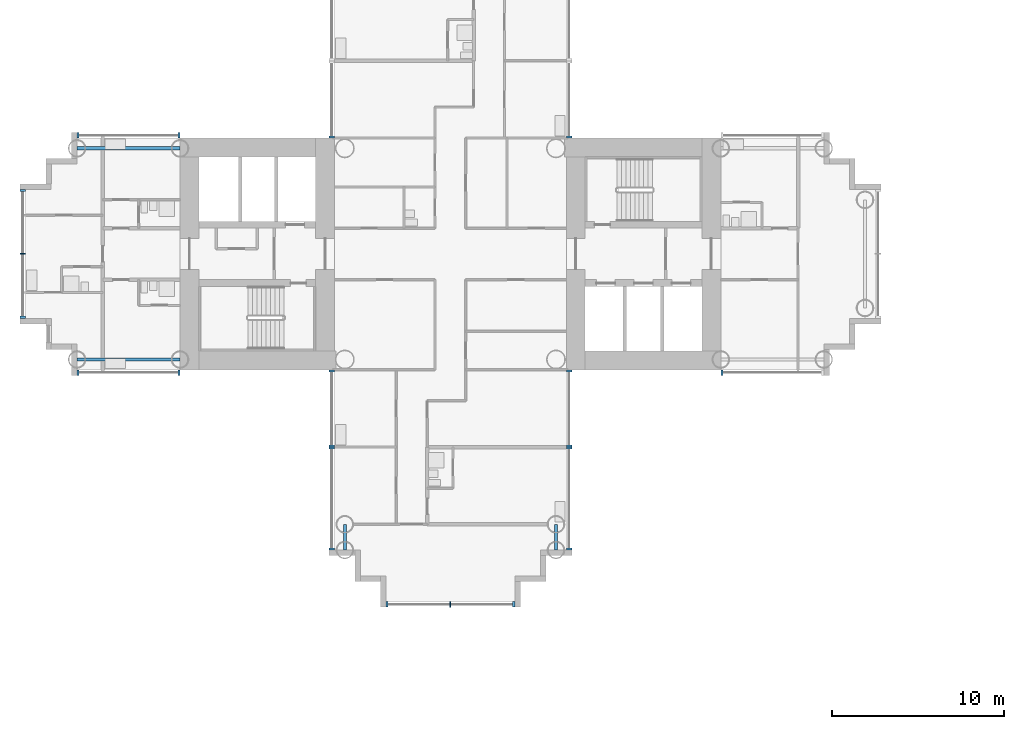
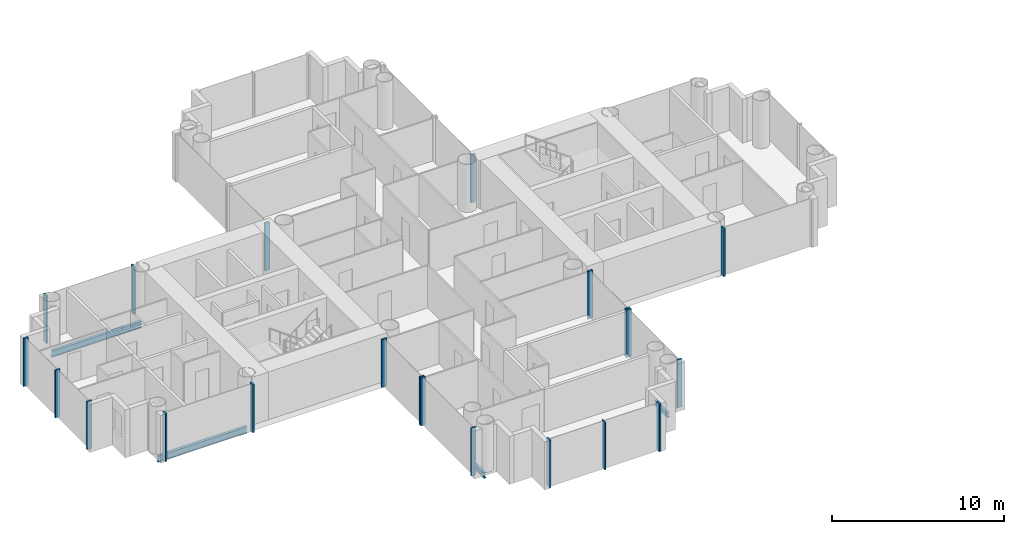
# One storey, part 3 of 22: 21 members, 4 beams, 11 elements without a shape of their own.
"""IFC4 building model written with IfcOpenShell, lengths in metres."""

import ifcopenshell
import ifcopenshell.guid

model = None  # the IFC model being written
_history = None  # IfcOwnerHistory: only IFC2X3 demands one
_inside = {}  # id of a spatial element -> (the spatial element, [elements in it])
_under = {}  # id of a project, library or spatial element -> (it, [spatial elements below it])
_declared = {}  # id of a project -> (the project, [libraries it declares])
_typed = {}  # id of a type object -> (the type object, [elements of that type])
_made_of = {}  # id of a material, layer set ... -> (it, [elements and type objects made of it])


def new_model(schema):
    """Start an empty IFC model of exactly this schema.

    Asked for "IFC4X3", IfcOpenShell would pick the latest addendum, in which some entities
    have other attributes; the version numbers below select the first issue.
    IFC2X3 requires an IfcOwnerHistory on every rooted entity: one is made here for all.
    """
    global model, _history
    if schema == "IFC4X3":
        model = ifcopenshell.file(schema_version=(4, 3, 0, 0))
    else:
        model = ifcopenshell.file(schema=schema)
    _inside.clear()
    _under.clear()
    _declared.clear()
    _typed.clear()
    _made_of.clear()
    _history = None
    if model.schema == "IFC2X3":
        org = make("IfcOrganization", Name="unknown")
        user = make(
            "IfcPersonAndOrganization",
            ThePerson=make("IfcPerson", FamilyName="unknown"),
            TheOrganization=org,
        )
        app = make(
            "IfcApplication",
            ApplicationDeveloper=org,
            Version="unknown",
            ApplicationFullName="unknown",
            ApplicationIdentifier="unknown",
        )
        _history = make(
            "IfcOwnerHistory",
            OwningUser=user,
            OwningApplication=app,
            ChangeAction="ADDED",
            CreationDate=0,
        )
    return model


def make(cls, **values):
    """One entity of the class cls with the attributes given. An attribute that is None is left unset."""
    return model.create_entity(
        cls, **{name: value for name, value in values.items() if value is not None}
    )


def rooted(cls, **values):
    """An entity with a GlobalId (a new one), such as an element, a storey or a relation."""
    return make(cls, GlobalId=ifcopenshell.guid.new(), OwnerHistory=_history, **values)


def si_unit(unit_type, name, prefix=None):
    """IfcSIUnit, for example si_unit("LENGTHUNIT", "METRE", prefix="MILLI")."""
    return make("IfcSIUnit", UnitType=unit_type, Prefix=prefix, Name=name)


def assignment(units):
    """IfcUnitAssignment: the units of a project."""
    return None if units is None else make("IfcUnitAssignment", Units=units)


def point(xyz):
    """IfcCartesianPoint."""
    return None if xyz is None else make("IfcCartesianPoint", Coordinates=xyz)


def direction(xyz):
    """IfcDirection."""
    return None if xyz is None else make("IfcDirection", DirectionRatios=xyz)


def frame(location, z_axis=None, x_axis=None):
    """IfcAxis2Placement3D, a coordinate frame: its origin and axes. An axis left out is left unset."""
    return make(
        "IfcAxis2Placement3D",
        Location=point(location),
        Axis=direction(z_axis),
        RefDirection=direction(x_axis),
    )


def frame_2d(location, x_axis=None):
    """IfcAxis2Placement2D, a coordinate frame in the plane: its origin and x axis."""
    return make(
        "IfcAxis2Placement2D", Location=point(location), RefDirection=direction(x_axis)
    )


def origin():
    """The frame at (0, 0, 0) with its axes left unset."""
    return frame((0.0, 0.0, 0.0))


def origin_2d():
    """The frame at (0, 0) in the plane with its x axis left unset."""
    return frame_2d((0.0, 0.0))


def place(relative_to, where):
    """IfcLocalPlacement: puts the frame where relative to a parent placement (None: the world)."""
    return make(
        "IfcLocalPlacement", PlacementRelTo=relative_to, RelativePlacement=where
    )


def context(
    kind, dimensions, precision=None, world=None, true_north=None, identifier=None
):
    """IfcGeometricRepresentationContext, for example the 3D "Model" context."""
    return make(
        "IfcGeometricRepresentationContext",
        ContextIdentifier=identifier,
        ContextType=kind,
        CoordinateSpaceDimension=dimensions,
        Precision=precision,
        WorldCoordinateSystem=world,
        TrueNorth=true_north,
    )


def subcontext(parent, identifier, kind, view, scale=None):
    """IfcGeometricRepresentationSubContext, for example "Body" below "Model"."""
    return make(
        "IfcGeometricRepresentationSubContext",
        ContextIdentifier=identifier,
        ContextType=kind,
        ParentContext=parent,
        TargetScale=scale,
        TargetView=view,
    )


def project(units=None, contexts=None):
    """IfcProject with its units and contexts."""
    return rooted(
        "IfcProject",
        Name="project",
        RepresentationContexts=contexts,
        UnitsInContext=assignment(units),
    )


def spatial(cls, under=None, at=None, **own):
    """A site, building, storey or space (cls), placed at a placement, below another one or the project."""
    s = rooted(cls, ObjectPlacement=at, **own)
    if under is not None:
        _under.setdefault(under.id(), (under, []))[1].append(s)
    return s


def profile(cls, at=None, kind="AREA", **sizes):
    """A parametric profile (cls). Its sizes go by their IFC names, for example OverallWidth=200.0."""
    return make(cls, ProfileType=kind, Position=at, **sizes)


def rectangle(**sizes):
    """IfcRectangleProfileDef."""
    return profile("IfcRectangleProfileDef", **sizes)


def i_section(**sizes):
    """IfcIShapeProfileDef."""
    return profile("IfcIShapeProfileDef", **sizes)


def extrude(swept, where, along, depth):
    """IfcExtrudedAreaSolid: the profile swept, set in the frame where, extruded along a direction by depth."""
    return make(
        "IfcExtrudedAreaSolid",
        SweptArea=swept,
        Position=where,
        ExtrudedDirection=direction(along),
        Depth=depth,
    )


def shape(context_of_items, identifier, shape_type, items):
    """IfcShapeRepresentation: the items that make up one representation, for example the "Body"."""
    return make(
        "IfcShapeRepresentation",
        ContextOfItems=context_of_items,
        RepresentationIdentifier=identifier,
        RepresentationType=shape_type,
        Items=items,
    )


def material(Name=None, Category=None):
    """IfcMaterial."""
    return make("IfcMaterial", Name=Name, Category=Category)


def layer(
    of_material, thickness, ventilated=None, Name=None, Category=None, Priority=None
):
    """IfcMaterialLayer: one layer of a wall or slab, of a material (None: an air gap)."""
    return make(
        "IfcMaterialLayer",
        Material=of_material,
        LayerThickness=thickness,
        IsVentilated=ventilated,
        Name=Name,
        Category=Category,
        Priority=Priority,
    )


def layer_set(layers, Name=None):
    """IfcMaterialLayerSet."""
    return make("IfcMaterialLayerSet", MaterialLayers=layers, LayerSetName=Name)


def material_profile(
    of_material, cross_section, Name=None, Category=None, Priority=None
):
    """IfcMaterialProfile: a cross section and its material."""
    return make(
        "IfcMaterialProfile",
        Name=Name,
        Material=of_material,
        Profile=cross_section,
        Priority=Priority,
        Category=Category,
    )


def profile_set(profiles, Name=None, composite=None):
    """IfcMaterialProfileSet."""
    return make(
        "IfcMaterialProfileSet",
        Name=Name,
        MaterialProfiles=profiles,
        CompositeProfile=composite,
    )


def made_of(thing, what):
    """Note that an element or type object is made of a material, layer set ...; save() writes the relation."""
    if what is not None:
        _made_of.setdefault(what.id(), (what, []))[1].append(thing)
    return thing


def type_object(cls, material=None, **own):
    """A type object (cls), such as IfcWallType, which elements share."""
    return made_of(rooted(cls, **own), material)


def element(
    cls,
    number,
    at=None,
    inside=None,
    cuts=None,
    type_object=None,
    material=None,
    context=None,
    identifier="Body",
    shape_type=None,
    held_by="IfcProductDefinitionShape",
    body=None,
    shapes=None,
    **own,
):
    """One element of the class cls, such as IfcWall. Its Tag is "e" and its number.

    at: its placement. inside: the storey or other place that contains it. cuts: it is an
    opening in that element (IfcRelVoidsElement). A single representation is given by context,
    identifier, shape_type and body (its items); several are given by shapes. held_by: the class
    of the entity that holds the representations. save() writes the other relations.
    """
    e = rooted(cls, Tag="e%d" % number, ObjectPlacement=at, **own)
    if body is not None:
        shapes = [shape(context, identifier, shape_type, body)]
    if shapes is not None:
        e.Representation = make(held_by, Representations=shapes)
    if inside is not None:
        _inside.setdefault(inside.id(), (inside, []))[1].append(e)
    if cuts is not None:
        rooted(
            "IfcRelVoidsElement", RelatingBuildingElement=cuts, RelatedOpeningElement=e
        )
    if type_object is not None:
        _typed.setdefault(type_object.id(), (type_object, []))[1].append(e)
    return made_of(e, material)


def aggregate(whole, parts):
    """IfcRelAggregates: a whole, such as a stair, and the parts it consists of."""
    return rooted("IfcRelAggregates", RelatingObject=whole, RelatedObjects=parts)


def save(model, path):
    """Write the relations noted so far, then the file.

    IfcRelAggregates (storeys below a building ...), IfcRelContainedInSpatialStructure (elements
    in a storey), IfcRelDefinesByType, IfcRelAssociatesMaterial and IfcRelDeclares: one each for
    every whole, place, type object, material and project.
    """
    for whole, parts in _under.values():
        aggregate(whole, parts)
    for where, things in _inside.values():
        rooted(
            "IfcRelContainedInSpatialStructure",
            RelatedElements=things,
            RelatingStructure=where,
        )
    for kind, things in _typed.values():
        rooted("IfcRelDefinesByType", RelatedObjects=things, RelatingType=kind)
    for what, things in _made_of.values():
        rooted("IfcRelAssociatesMaterial", RelatedObjects=things, RelatingMaterial=what)
    for by, libraries in _declared.values():
        rooted("IfcRelDeclares", RelatingContext=by, RelatedDefinitions=libraries)
    model.write(path)


model = new_model("IFC4")

# Units and contexts
model_context = context("Model", 3, precision=1e-05, world=origin(), true_north=direction((0.0, 1.0)))
body_context = subcontext(model_context, "Body", "Model", "MODEL_VIEW")
ifc_project = project(units=[si_unit("LENGTHUNIT", "METRE"), si_unit("AREAUNIT", "SQUARE_METRE"), si_unit("VOLUMEUNIT", "CUBIC_METRE"), si_unit("PLANEANGLEUNIT", "RADIAN"), si_unit("MASSUNIT", "GRAM", prefix="KILO")], contexts=[model_context])

# Site, building, storey
site_placement = place(None, origin())
site = spatial("IfcSite", under=ifc_project, at=site_placement, CompositionType="ELEMENT")
building_placement = place(site_placement, origin())
building = spatial("IfcBuilding", under=site, at=building_placement, Name="Ipe Terrace Towers", CompositionType="ELEMENT")
storey_placement = place(building_placement, frame((0.0, 0.0, 61.89990234375)))
storey = spatial("IfcBuildingStorey", under=building, at=storey_placement, Name="L16", CompositionType="ELEMENT", Elevation=61.89990234375)

# Beams
ifc_material_1 = material(Name="Steel S355", Category="steel")
ifc_material_profile_1 = material_profile(ifc_material_1, i_section(OverallWidth=0.175048828125, OverallDepth=0.35009765625, WebThickness=0.007080078125, FlangeThickness=0.010986328125, at=origin_2d()), Name="H-350x175x7x11")
ifc_profile_set_1 = profile_set([ifc_material_profile_1], Name="Steel S355")
beam_type_1 = type_object("IfcBeamType", Name="H04 EDGE BEAM H-350x175x7x11", PredefinedType="BEAM", material=ifc_profile_set_1)
for number, where, z_axis, x_axis, name in (
    (1, (-42.14990234375, -15.75, -0.574951171875), (0.0, -1.0, 0.0), (1.0, 0.0, 0.0), "Edge beam T1-EB-D03-D05"),
    (2, (-29.85009765625, -15.75, -0.574951171875), (0.0, -1.0, 0.0), (1.0, 0.0, 0.0), "Edge beam T1-EB-D04-D06"),
):
    element("IfcBeam", number, at=place(storey_placement, frame(where, z_axis=z_axis, x_axis=x_axis)), inside=storey, type_object=beam_type_1, Name=name, PredefinedType="BEAM", context=body_context, shape_type="SweptSolid", body=[
        extrude(i_section(OverallWidth=0.175048828125, OverallDepth=0.35009765625, WebThickness=0.007080078125, FlangeThickness=0.010986328125, at=origin_2d()), origin(), (0.0, 0.0, 1.0), 1.5),
    ])
ifc_material_2 = material(Name="Steel S355", Category="steel")
ifc_material_profile_2 = material_profile(ifc_material_2, i_section(OverallWidth=0.199951171875, OverallDepth=0.449951171875, WebThickness=0.009033203125, FlangeThickness=0.013916015625, at=origin_2d()), Name="H-450x200x9x14")
ifc_profile_set_2 = profile_set([ifc_material_profile_2], Name="Steel S355")
beam_type_2 = type_object("IfcBeamType", Name="H08 EDGE BEAM H-450x200x9x14", PredefinedType="BEAM", material=ifc_profile_set_2)
for number, where, z_axis, x_axis, name in (
    (3, (-51.75, -6.14990234375, -0.625), (-1.0, 0.0, 0.0), (0.0, -1.0, 0.0), "Edge beam T1-EB-C01-C03"),
    (4, (-51.75, 6.14990234375, -0.625), (-1.0, 0.0, 0.0), (0.0, -1.0, 0.0), "Edge beam T1-EB-C02-C04"),
):
    element("IfcBeam", number, at=place(storey_placement, frame(where, z_axis=z_axis, x_axis=x_axis)), inside=storey, type_object=beam_type_2, Name=name, PredefinedType="BEAM", context=body_context, shape_type="SweptSolid", body=[
        extrude(i_section(OverallWidth=0.199951171875, OverallDepth=0.449951171875, WebThickness=0.009033203125, FlangeThickness=0.013916015625, at=origin_2d()), origin(), (0.0, 0.0, 1.0), 6.0),
    ])

# Curtain wall, members
ifc_material_3 = material(Name="Aluminium alloy 6063-T6", Category="aluminium")
ifc_layer = layer(ifc_material_3, 0.320068359375)
ifc_layer_set = layer_set([ifc_layer], Name="TOWER UNITISED CURTAIN WALL")
curtain_wall_type = type_object("IfcCurtainWallType", Name="TOWER UNITISED CURTAIN WALL", PredefinedType="NOTDEFINED", material=ifc_layer_set)
curtain_wall_1_placement = place(storey_placement, origin())
curtain_wall_1 = element("IfcCurtainWall", 5, at=curtain_wall_1_placement, inside=storey, type_object=curtain_wall_type, Name="T1-CW-L16-04a curtain wall", PredefinedType="NOTDEFINED")
ifc_material_4 = material(Name="Aluminium alloy 6063-T6", Category="aluminium")
ifc_material_profile_3 = material_profile(ifc_material_4, rectangle(XDim=0.320068359375, YDim=0.1201171875, at=origin_2d()), Name="TOWER UNITISED CORNER MULLION 320 x 120")
ifc_profile_set_3 = profile_set([ifc_material_profile_3], Name="Aluminium alloy 6063-T6")
member_type_1 = type_object("IfcMemberType", Name="TOWER UNITISED CORNER MULLION 320 x 120", PredefinedType="MULLION", material=ifc_profile_set_3)
member_1_placement = place(storey_placement, frame((-57.68994140625, -6.909912109375, -0.2998046875), z_axis=(0.0, 0.0, 1.0), x_axis=(0.0, -1.0, 0.0)))
member_1 = element("IfcMember", 6, at=member_1_placement, type_object=member_type_1, Name="T1-CW-L16-04a mullion 1", PredefinedType="MULLION", context=body_context, shape_type="SweptSolid", body=[
    extrude(rectangle(XDim=0.320068359375, YDim=0.1201171875, at=origin_2d()), origin(), (0.0, 0.0, 1.0), 3.39990234375),
])
member_2_placement = place(storey_placement, frame((-51.81103515625, -6.909912109375, -0.2998046875), z_axis=(0.0, 0.0, 1.0), x_axis=(0.0, -1.0, 0.0)))
member_2 = element("IfcMember", 7, at=member_2_placement, type_object=member_type_1, Name="T1-CW-L16-04a mullion 2", PredefinedType="MULLION", context=body_context, shape_type="SweptSolid", body=[
    extrude(rectangle(XDim=0.320068359375, YDim=0.1201171875, at=origin_2d()), origin(), (0.0, 0.0, 1.0), 3.39990234375),
])
aggregate(curtain_wall_1, [member_1, member_2])

curtain_wall_2_placement = place(storey_placement, origin())
curtain_wall_2 = element("IfcCurtainWall", 8, at=curtain_wall_2_placement, inside=storey, type_object=curtain_wall_type, Name="T1-CW-L16-06a curtain wall", PredefinedType="NOTDEFINED")
member_3_placement = place(storey_placement, frame((-42.909912109375, -6.81005859375, -0.2998046875), z_axis=(0.0, 0.0, 1.0), x_axis=(-1.0, 0.0, 0.0)))
member_3 = element("IfcMember", 9, at=member_3_placement, type_object=member_type_1, Name="T1-CW-L16-06a mullion 1", PredefinedType="MULLION", context=body_context, shape_type="SweptSolid", body=[
    extrude(rectangle(XDim=0.320068359375, YDim=0.1201171875, at=origin_2d()), origin(), (0.0, 0.0, 1.0), 3.39990234375),
])
member_4_placement = place(storey_placement, frame((-42.909912109375, -11.18994140625, -0.2998046875), z_axis=(0.0, 0.0, 1.0), x_axis=(-1.0, 0.0, 0.0)))
member_4 = element("IfcMember", 10, at=member_4_placement, type_object=member_type_1, Name="T1-CW-L16-06a mullion 2", PredefinedType="MULLION", context=body_context, shape_type="SweptSolid", body=[
    extrude(rectangle(XDim=0.320068359375, YDim=0.1201171875, at=origin_2d()), origin(), (0.0, 0.0, 1.0), 3.39990234375),
])
aggregate(curtain_wall_2, [member_3, member_4])

curtain_wall_3_placement = place(storey_placement, origin())
curtain_wall_3 = element("IfcCurtainWall", 11, at=curtain_wall_3_placement, inside=storey, type_object=curtain_wall_type, Name="T1-CW-L16-07a curtain wall", PredefinedType="NOTDEFINED")
member_5_placement = place(storey_placement, frame((-42.909912109375, -11.31005859375, -0.2998046875), z_axis=(0.0, 0.0, 1.0), x_axis=(-1.0, 0.0, 0.0)))
member_5 = element("IfcMember", 12, at=member_5_placement, type_object=member_type_1, Name="T1-CW-L16-07a mullion 1", PredefinedType="MULLION", context=body_context, shape_type="SweptSolid", body=[
    extrude(rectangle(XDim=0.320068359375, YDim=0.1201171875, at=origin_2d()), origin(), (0.0, 0.0, 1.0), 3.39990234375),
])
member_6_placement = place(storey_placement, frame((-42.909912109375, -17.18994140625, -0.2998046875), z_axis=(0.0, 0.0, 1.0), x_axis=(-1.0, 0.0, 0.0)))
member_6 = element("IfcMember", 13, at=member_6_placement, type_object=member_type_1, Name="T1-CW-L16-07a mullion 2", PredefinedType="MULLION", context=body_context, shape_type="SweptSolid", body=[
    extrude(rectangle(XDim=0.320068359375, YDim=0.1201171875, at=origin_2d()), origin(), (0.0, 0.0, 1.0), 3.39990234375),
])
aggregate(curtain_wall_3, [member_5, member_6])

curtain_wall_4_placement = place(storey_placement, origin())
curtain_wall_4 = element("IfcCurtainWall", 14, at=curtain_wall_4_placement, inside=storey, type_object=curtain_wall_type, Name="T1-CW-L16-12a curtain wall", PredefinedType="NOTDEFINED")
member_7_placement = place(storey_placement, frame((-39.68994140625, -20.409912109375, -0.2998046875), z_axis=(0.0, 0.0, 1.0), x_axis=(0.0, -1.0, 0.0)))
member_7 = element("IfcMember", 15, at=member_7_placement, type_object=member_type_1, Name="T1-CW-L16-12a mullion 1", PredefinedType="MULLION", context=body_context, shape_type="SweptSolid", body=[
    extrude(rectangle(XDim=0.320068359375, YDim=0.1201171875, at=origin_2d()), origin(), (0.0, 0.0, 1.0), 3.39990234375),
])
member_8_placement = place(storey_placement, frame((-32.31005859375, -20.409912109375, -0.2998046875), z_axis=(0.0, 0.0, 1.0), x_axis=(0.0, -1.0, 0.0)))
member_8 = element("IfcMember", 16, at=member_8_placement, type_object=member_type_1, Name="T1-CW-L16-12a mullion 3", PredefinedType="MULLION", context=body_context, shape_type="SweptSolid", body=[
    extrude(rectangle(XDim=0.320068359375, YDim=0.1201171875, at=origin_2d()), origin(), (0.0, 0.0, 1.0), 3.39990234375),
])

curtain_wall_5_placement = place(storey_placement, origin())
curtain_wall_5 = element("IfcCurtainWall", 17, at=curtain_wall_5_placement, inside=storey, type_object=curtain_wall_type, Name="T1-CW-L16-17a curtain wall", PredefinedType="NOTDEFINED")
member_9_placement = place(storey_placement, frame((-29.090087890625, -17.18994140625, -0.2998046875), z_axis=(0.0, 0.0, 1.0), x_axis=(1.0, 0.0, 0.0)))
member_9 = element("IfcMember", 18, at=member_9_placement, type_object=member_type_1, Name="T1-CW-L16-17a mullion 1", PredefinedType="MULLION", context=body_context, shape_type="SweptSolid", body=[
    extrude(rectangle(XDim=0.320068359375, YDim=0.1201171875, at=origin_2d()), origin(), (0.0, 0.0, 1.0), 3.39990234375),
])
member_10_placement = place(storey_placement, frame((-29.090087890625, -11.31005859375, -0.2998046875), z_axis=(0.0, 0.0, 1.0), x_axis=(1.0, 0.0, 0.0)))
member_10 = element("IfcMember", 19, at=member_10_placement, type_object=member_type_1, Name="T1-CW-L16-17a mullion 2", PredefinedType="MULLION", context=body_context, shape_type="SweptSolid", body=[
    extrude(rectangle(XDim=0.320068359375, YDim=0.1201171875, at=origin_2d()), origin(), (0.0, 0.0, 1.0), 3.39990234375),
])
aggregate(curtain_wall_5, [member_9, member_10])

curtain_wall_6_placement = place(storey_placement, origin())
curtain_wall_6 = element("IfcCurtainWall", 20, at=curtain_wall_6_placement, inside=storey, type_object=curtain_wall_type, Name="T1-CW-L16-18a curtain wall", PredefinedType="NOTDEFINED")
member_11_placement = place(storey_placement, frame((-29.090087890625, -11.18994140625, -0.2998046875), z_axis=(0.0, 0.0, 1.0), x_axis=(1.0, 0.0, 0.0)))
member_11 = element("IfcMember", 21, at=member_11_placement, type_object=member_type_1, Name="T1-CW-L16-18a mullion 1", PredefinedType="MULLION", context=body_context, shape_type="SweptSolid", body=[
    extrude(rectangle(XDim=0.320068359375, YDim=0.1201171875, at=origin_2d()), origin(), (0.0, 0.0, 1.0), 3.39990234375),
])
member_12_placement = place(storey_placement, frame((-29.090087890625, -6.81005859375, -0.2998046875), z_axis=(0.0, 0.0, 1.0), x_axis=(1.0, 0.0, 0.0)))
member_12 = element("IfcMember", 22, at=member_12_placement, type_object=member_type_1, Name="T1-CW-L16-18a mullion 2", PredefinedType="MULLION", context=body_context, shape_type="SweptSolid", body=[
    extrude(rectangle(XDim=0.320068359375, YDim=0.1201171875, at=origin_2d()), origin(), (0.0, 0.0, 1.0), 3.39990234375),
])
aggregate(curtain_wall_6, [member_11, member_12])

# Curtain wall, member
curtain_wall_7_placement = place(storey_placement, origin())
curtain_wall_7 = element("IfcCurtainWall", 23, at=curtain_wall_7_placement, inside=storey, type_object=curtain_wall_type, Name="T1-CW-L16-20b curtain wall", PredefinedType="NOTDEFINED")
member_13_placement = place(storey_placement, frame((-20.18896484375, -6.909912109375, -0.2998046875), z_axis=(0.0, 0.0, 1.0), x_axis=(0.0, -1.0, 0.0)))
member_13 = element("IfcMember", 24, at=member_13_placement, type_object=member_type_1, Name="T1-CW-L16-20b mullion 1", PredefinedType="MULLION", context=body_context, shape_type="SweptSolid", body=[
    extrude(rectangle(XDim=0.320068359375, YDim=0.1201171875, at=origin_2d()), origin(), (0.0, 0.0, 1.0), 3.39990234375),
])
aggregate(curtain_wall_7, [member_13])

curtain_wall_8_placement = place(storey_placement, origin())
curtain_wall_8 = element("IfcCurtainWall", 25, at=curtain_wall_8_placement, inside=storey, type_object=curtain_wall_type, Name="T1-CW-L16-32a curtain wall", PredefinedType="NOTDEFINED")
member_14_placement = place(storey_placement, frame((-29.090087890625, 6.81005859375, -0.2998046875), z_axis=(0.0, 0.0, 1.0), x_axis=(1.0, 0.0, 0.0)))
member_14 = element("IfcMember", 26, at=member_14_placement, type_object=member_type_1, Name="T1-CW-L16-32a mullion 1", PredefinedType="MULLION", context=body_context, shape_type="SweptSolid", body=[
    extrude(rectangle(XDim=0.320068359375, YDim=0.1201171875, at=origin_2d()), origin(), (0.0, 0.0, 1.0), 3.39990234375),
])
aggregate(curtain_wall_8, [member_14])

curtain_wall_9_placement = place(storey_placement, origin())
curtain_wall_9 = element("IfcCurtainWall", 27, at=curtain_wall_9_placement, inside=storey, type_object=curtain_wall_type, Name="T1-CW-L16-44a curtain wall", PredefinedType="NOTDEFINED")
member_15_placement = place(storey_placement, frame((-42.909912109375, 6.81005859375, -0.2998046875), z_axis=(0.0, 0.0, 1.0), x_axis=(-1.0, 0.0, 0.0)))
member_15 = element("IfcMember", 28, at=member_15_placement, type_object=member_type_1, Name="T1-CW-L16-44a mullion 2", PredefinedType="MULLION", context=body_context, shape_type="SweptSolid", body=[
    extrude(rectangle(XDim=0.320068359375, YDim=0.1201171875, at=origin_2d()), origin(), (0.0, 0.0, 1.0), 3.39990234375),
])
aggregate(curtain_wall_9, [member_15])

# Curtain wall, members
curtain_wall_10_placement = place(storey_placement, origin())
curtain_wall_10 = element("IfcCurtainWall", 29, at=curtain_wall_10_placement, inside=storey, type_object=curtain_wall_type, Name="T1-CW-L16-46b curtain wall", PredefinedType="NOTDEFINED")
member_16_placement = place(storey_placement, frame((-51.81103515625, 6.909912109375, -0.2998046875), z_axis=(0.0, 0.0, 1.0), x_axis=(0.0, 1.0, 0.0)))
member_16 = element("IfcMember", 30, at=member_16_placement, type_object=member_type_1, Name="T1-CW-L16-46b mullion 1", PredefinedType="MULLION", context=body_context, shape_type="SweptSolid", body=[
    extrude(rectangle(XDim=0.320068359375, YDim=0.1201171875, at=origin_2d()), origin(), (0.0, 0.0, 1.0), 3.39990234375),
])
member_17_placement = place(storey_placement, frame((-57.68994140625, 6.909912109375, -0.2998046875), z_axis=(0.0, 0.0, 1.0), x_axis=(0.0, 1.0, 0.0)))
member_17 = element("IfcMember", 31, at=member_17_placement, type_object=member_type_1, Name="T1-CW-L16-46b mullion 2", PredefinedType="MULLION", context=body_context, shape_type="SweptSolid", body=[
    extrude(rectangle(XDim=0.320068359375, YDim=0.1201171875, at=origin_2d()), origin(), (0.0, 0.0, 1.0), 3.39990234375),
])
aggregate(curtain_wall_10, [member_16, member_17])

curtain_wall_11_placement = place(storey_placement, origin())
curtain_wall_11 = element("IfcCurtainWall", 32, at=curtain_wall_11_placement, inside=storey, type_object=curtain_wall_type, Name="T1-CW-L16-51a curtain wall", PredefinedType="NOTDEFINED")
member_18_placement = place(storey_placement, frame((-60.909912109375, 3.68994140625, -0.2998046875), z_axis=(0.0, 0.0, 1.0), x_axis=(-1.0, 0.0, 0.0)))
member_18 = element("IfcMember", 33, at=member_18_placement, type_object=member_type_1, Name="T1-CW-L16-51a mullion 1", PredefinedType="MULLION", context=body_context, shape_type="SweptSolid", body=[
    extrude(rectangle(XDim=0.320068359375, YDim=0.1201171875, at=origin_2d()), origin(), (0.0, 0.0, 1.0), 3.39990234375),
])
member_19_placement = place(storey_placement, frame((-60.909912109375, -3.68994140625, -0.2998046875), z_axis=(0.0, 0.0, 1.0), x_axis=(-1.0, 0.0, 0.0)))
member_19 = element("IfcMember", 34, at=member_19_placement, type_object=member_type_1, Name="T1-CW-L16-51a mullion 3", PredefinedType="MULLION", context=body_context, shape_type="SweptSolid", body=[
    extrude(rectangle(XDim=0.320068359375, YDim=0.1201171875, at=origin_2d()), origin(), (0.0, 0.0, 1.0), 3.39990234375),
])

# Member
ifc_material_5 = material(Name="Aluminium alloy 6063-T6", Category="aluminium")
ifc_material_profile_4 = material_profile(ifc_material_5, rectangle(XDim=0.320068359375, YDim=0.06494140625, at=origin_2d()), Name="TOWER UNITISED MULLION 320 x 65")
ifc_profile_set_4 = profile_set([ifc_material_profile_4], Name="Aluminium alloy 6063-T6")
member_type_2 = type_object("IfcMemberType", Name="TOWER UNITISED MULLION 320 x 65", PredefinedType="MULLION", material=ifc_profile_set_4)
member_20_placement = place(storey_placement, frame((-36.0, -20.409912109375, -0.2998046875), z_axis=(0.0, 0.0, 1.0), x_axis=(0.0, -1.0, 0.0)))
member_20 = element("IfcMember", 35, at=member_20_placement, type_object=member_type_2, Name="T1-CW-L16-12a mullion 2", PredefinedType="MULLION", context=body_context, shape_type="SweptSolid", body=[
    extrude(rectangle(XDim=0.320068359375, YDim=0.06494140625, at=origin_2d()), origin(), (0.0, 0.0, 1.0), 3.39990234375),
])

aggregate(curtain_wall_4, [member_7, member_20, member_8])

member_21_placement = place(storey_placement, frame((-60.909912109375, 0.0, -0.2998046875), z_axis=(0.0, 0.0, 1.0), x_axis=(-1.0, 0.0, 0.0)))
member_21 = element("IfcMember", 36, at=member_21_placement, type_object=member_type_2, Name="T1-CW-L16-51a mullion 2", PredefinedType="MULLION", context=body_context, shape_type="SweptSolid", body=[
    extrude(rectangle(XDim=0.320068359375, YDim=0.06494140625, at=origin_2d()), origin(), (0.0, 0.0, 1.0), 3.39990234375),
])

aggregate(curtain_wall_11, [member_18, member_21, member_19])

save(model, "model.ifc")
